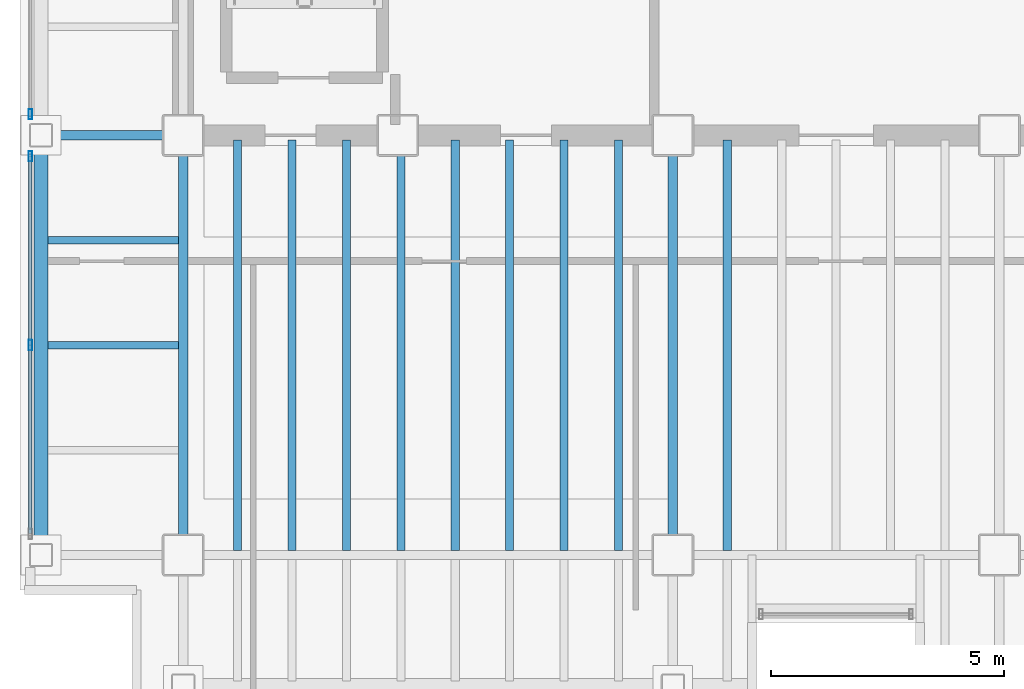
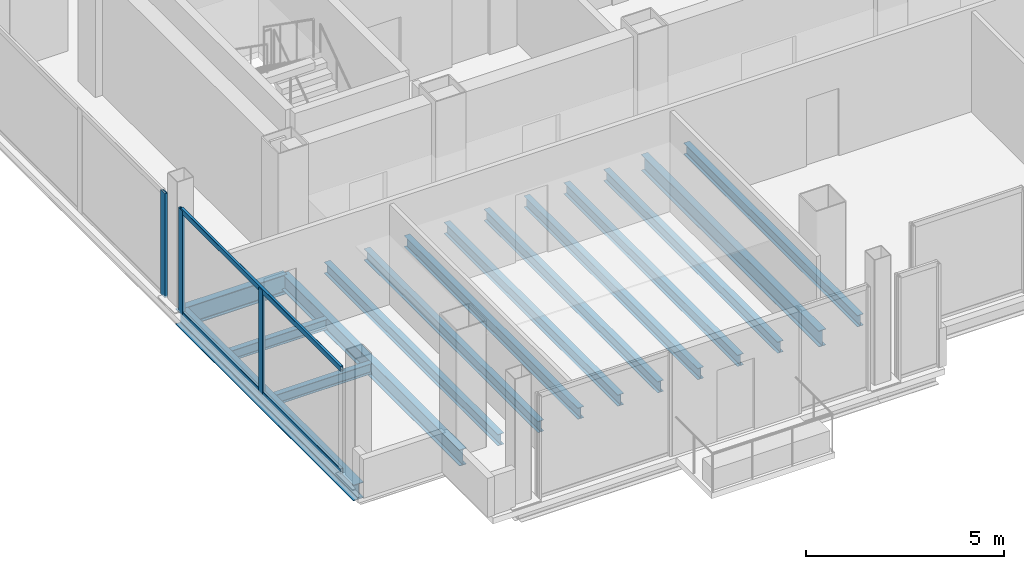
# One storey, part 3 of 15: 15 beams, 5 members, 2 elements without a shape of their own.
"""IFC4 building model written with IfcOpenShell, lengths in metres."""

from ifc_helpers import new_model, si_unit, direction, frame, origin, origin_2d, place, context, subcontext, project, spatial, hollow_rectangle, i_section, extrude, material, material_profile, profile_set, type_object, element, aggregate, save


model = new_model("IFC4")

# Units and contexts
model_context = context("Model", 3, precision=1e-05, world=origin(), true_north=direction((0.0, 1.0)))
body_context = subcontext(model_context, "Body", "Model", "MODEL_VIEW")
ifc_project = project(units=[si_unit("LENGTHUNIT", "METRE"), si_unit("AREAUNIT", "SQUARE_METRE"), si_unit("VOLUMEUNIT", "CUBIC_METRE"), si_unit("PLANEANGLEUNIT", "RADIAN"), si_unit("MASSUNIT", "GRAM", prefix="KILO")], contexts=[model_context])

# Site, building, storey
site_placement = place(None, origin())
site = spatial("IfcSite", under=ifc_project, at=site_placement, CompositionType="ELEMENT")
building_placement = place(site_placement, origin())
building = spatial("IfcBuilding", under=site, at=building_placement, Name="Noeulbin Bourse Tower", CompositionType="ELEMENT")
storey_placement = place(building_placement, frame((0.0, 0.0, 189.0)))
storey = spatial("IfcBuildingStorey", under=building, at=storey_placement, Name="L47", CompositionType="ELEMENT", Elevation=189.0)

# Beams
ifc_material_1 = material(Name="Steel S355", Category="steel")
ifc_material_profile_1 = material_profile(ifc_material_1, i_section(OverallWidth=0.199951171875, OverallDepth=0.5, WebThickness=0.010009765625, FlangeThickness=0.01611328125, FilletRadius=0.02001953125, at=origin_2d()), Name="H-500x200x10x16", Category="LoadBearing")
ifc_profile_set_1 = profile_set([ifc_material_profile_1], Name="Steel S355")
beam_type_1 = type_object("IfcBeamType", Name="BM-GRD-500", PredefinedType="USERDEFINED", material=ifc_profile_set_1)
for number, where, z_axis, x_axis, name in (
    (1, (13.5, 20.0, -0.429931640625), (0.0, 1.0, 0.0), (-1.0, 0.0, 0.0), "Tower Primary Girder NS L47-1.2"),
    (2, (24.0, 20.0, -0.429931640625), (0.0, 1.0, 0.0), (-1.0, 0.0, 0.0), "Tower Primary Girder NS L47-2.2"),
):
    element("IfcBeam", number, at=place(storey_placement, frame(where, z_axis=z_axis, x_axis=x_axis)), inside=storey, type_object=beam_type_1, Name=name, ObjectType="GIRDER", PredefinedType="USERDEFINED", context=body_context, shape_type="SweptSolid", body=[
        extrude(i_section(OverallWidth=0.199951171875, OverallDepth=0.5, WebThickness=0.010009765625, FlangeThickness=0.01611328125, FilletRadius=0.02001953125, at=origin_2d()), origin(), (0.0, 0.0, 1.0), 9.0),
    ])
ifc_material_profile_2 = material_profile(ifc_material_1, i_section(OverallWidth=0.199951171875, OverallDepth=0.60009765625, WebThickness=0.010986328125, FlangeThickness=0.01708984375, FilletRadius=0.02197265625, at=origin_2d()), Name="H-600x200x11x17", Category="LoadBearing")
ifc_profile_set_2 = profile_set([ifc_material_profile_2], Name="Steel S355")
beam_type_2 = type_object("IfcBeamType", Name="BM-GRD-600", PredefinedType="USERDEFINED", material=ifc_profile_set_2)
beam_1_placement = place(storey_placement, frame((10.449951171875, 29.0, -0.47998046875), z_axis=(1.0, 0.0, 0.0), x_axis=(0.0, 1.0, 0.0)))
element("IfcBeam", 3, at=beam_1_placement, inside=storey, type_object=beam_type_2, Name="Tower Primary Girder EW L47-2.1", ObjectType="GIRDER", PredefinedType="USERDEFINED", context=body_context, shape_type="SweptSolid", body=[
    extrude(i_section(OverallWidth=0.199951171875, OverallDepth=0.60009765625, WebThickness=0.010986328125, FlangeThickness=0.01708984375, FilletRadius=0.02197265625, at=origin_2d()), origin(), (0.0, 0.0, 1.0), 3.050048828125),
])
ifc_material_profile_3 = material_profile(ifc_material_1, i_section(OverallWidth=0.159912109375, OverallDepth=0.320068359375, WebThickness=0.006591796875, FlangeThickness=0.010009765625, FilletRadius=0.012939453125, at=origin_2d()), Name="H-320x160x6.5x10", Category="LoadBearing")
ifc_profile_set_3 = profile_set([ifc_material_profile_3], Name="Steel S355")
beam_type_3 = type_object("IfcBeamType", Name="BM-JST-320", PredefinedType="JOIST", material=ifc_profile_set_3)
for number, where, z_axis, x_axis, name in (
    (4, (10.60009765625, 24.5, -0.340087890625), (1.0, 0.0, 0.0), (0.0, 1.0, 0.0), "Wing Composite Joist L47-W68"),
    (5, (10.60009765625, 26.75, -0.340087890625), (1.0, 0.0, 0.0), (0.0, 1.0, 0.0), "Wing Composite Joist L47-W69"),
):
    element("IfcBeam", number, at=place(storey_placement, frame(where, z_axis=z_axis, x_axis=x_axis)), inside=storey, type_object=beam_type_3, Name=name, PredefinedType="JOIST", context=body_context, shape_type="SweptSolid", body=[
        extrude(i_section(OverallWidth=0.159912109375, OverallDepth=0.320068359375, WebThickness=0.006591796875, FlangeThickness=0.010009765625, FilletRadius=0.012939453125, at=origin_2d()), origin(), (0.0, 0.0, 1.0), 2.7998046875),
    ])
ifc_material_profile_4 = material_profile(ifc_material_1, i_section(OverallWidth=0.175048828125, OverallDepth=0.35009765625, WebThickness=0.007080078125, FlangeThickness=0.010986328125, FilletRadius=0.013916015625, at=origin_2d()), Name="H-350x175x7x11", Category="LoadBearing")
ifc_profile_set_4 = profile_set([ifc_material_profile_4], Name="Steel S355")
beam_type_4 = type_object("IfcBeamType", Name="BM-JST-350", PredefinedType="JOIST", material=ifc_profile_set_4)
for number, where, z_axis, x_axis, name in (
    (6, (14.666748046875, 20.10009765625, -0.35498046875), (0.0, 1.0, 0.0), (-1.0, 0.0, 0.0), "Tower Composite Joist L47-02"),
    (7, (15.833251953125, 20.10009765625, -0.35498046875), (0.0, 1.0, 0.0), (-1.0, 0.0, 0.0), "Tower Composite Joist L47-05"),
    (8, (17.0, 20.10009765625, -0.35498046875), (0.0, 1.0, 0.0), (-1.0, 0.0, 0.0), "Tower Composite Joist L47-08"),
    (9, (18.166748046875, 20.10009765625, -0.35498046875), (0.0, 1.0, 0.0), (-1.0, 0.0, 0.0), "Tower Composite Joist L47-11"),
    (10, (19.333251953125, 20.10009765625, -0.35498046875), (0.0, 1.0, 0.0), (-1.0, 0.0, 0.0), "Tower Composite Joist L47-14"),
    (11, (20.5, 20.10009765625, -0.35498046875), (0.0, 1.0, 0.0), (-1.0, 0.0, 0.0), "Tower Composite Joist L47-17"),
    (12, (21.666748046875, 20.10009765625, -0.35498046875), (0.0, 1.0, 0.0), (-1.0, 0.0, 0.0), "Tower Composite Joist L47-20"),
    (13, (22.833251953125, 20.10009765625, -0.35498046875), (0.0, 1.0, 0.0), (-1.0, 0.0, 0.0), "Tower Composite Joist L47-23"),
    (14, (25.166748046875, 20.10009765625, -0.35498046875), (0.0, 1.0, 0.0), (-1.0, 0.0, 0.0), "Tower Composite Joist L47-26"),
):
    element("IfcBeam", number, at=place(storey_placement, frame(where, z_axis=z_axis, x_axis=x_axis)), inside=storey, type_object=beam_type_4, Name=name, PredefinedType="JOIST", context=body_context, shape_type="SweptSolid", body=[
        extrude(i_section(OverallWidth=0.175048828125, OverallDepth=0.35009765625, WebThickness=0.007080078125, FlangeThickness=0.010986328125, FilletRadius=0.013916015625, at=origin_2d()), origin(), (0.0, 0.0, 1.0), 8.7998046875),
    ])
ifc_material_profile_5 = material_profile(ifc_material_1, i_section(OverallWidth=0.300048828125, OverallDepth=0.488037109375, WebThickness=0.010986328125, FlangeThickness=0.01806640625, FilletRadius=0.02197265625, at=origin_2d()), Name="H-488x300x11x18", Category="LoadBearing")
ifc_profile_set_5 = profile_set([ifc_material_profile_5], Name="Steel S355")
beam_type_5 = type_object("IfcBeamType", Name="BM-SPN-488", PredefinedType="SPANDREL", material=ifc_profile_set_5)
beam_2_placement = place(storey_placement, frame((10.449951171875, 20.0, -0.424072265625), z_axis=(0.0, 1.0, 0.0), x_axis=(-1.0, 0.0, 0.0)))
element("IfcBeam", 15, at=beam_2_placement, inside=storey, type_object=beam_type_5, Name="West Spandrel L47-1", PredefinedType="SPANDREL", context=body_context, shape_type="SweptSolid", body=[
    extrude(i_section(OverallWidth=0.300048828125, OverallDepth=0.488037109375, WebThickness=0.010986328125, FlangeThickness=0.01806640625, FilletRadius=0.02197265625, at=origin_2d()), origin(), (0.0, 0.0, 1.0), 9.0),
])

# Curtain wall, members
ifc_material_2 = material(Name="Dark Tinted Triple Glazing", Category="glass")
curtain_wall_type = type_object("IfcCurtainWallType", Name="CW-SYS-3", PredefinedType="NOTDEFINED", material=ifc_material_2)
curtain_wall_1_placement = place(storey_placement, origin())
curtain_wall_1 = element("IfcCurtainWall", 16, at=curtain_wall_1_placement, inside=storey, type_object=curtain_wall_type, Name="Unitised Curtain Wall CW-L47-W-S1", PredefinedType="NOTDEFINED")
ifc_material_3 = material(Name="Anodised Aluminium 6063-T6", Category="aluminium")
ifc_material_profile_6 = material_profile(ifc_material_3, hollow_rectangle(XDim=0.074951171875, YDim=0.219970703125, WallThickness=0.0048828125, InnerFilletRadius=0.00244140625, OuterFilletRadius=0.0048828125, at=origin_2d()), Name="ALU-MULL-75x220x5", Category="LoadBearing")
ifc_profile_set_6 = profile_set([ifc_material_profile_6], Name="Anodised Aluminium 6063-T6")
member_type_1 = type_object("IfcMemberType", Name="CW-SYS-3-MUL", PredefinedType="MULLION", material=ifc_profile_set_6)
member_1_placement = place(storey_placement, frame((10.219970703125, 24.5, -0.02001953125), z_axis=(0.0, 0.0, 1.0), x_axis=(1.0, 0.0, 0.0)))
member_1 = element("IfcMember", 17, at=member_1_placement, type_object=member_type_1, Name="Curtain Wall Mullion CW-L47-W-S1-M01", PredefinedType="MULLION", context=body_context, shape_type="SweptSolid", body=[
    extrude(hollow_rectangle(XDim=0.074951171875, YDim=0.219970703125, WallThickness=0.0048828125, InnerFilletRadius=0.00244140625, OuterFilletRadius=0.0048828125, at=origin_2d()), origin(), (0.0, 0.0, 1.0), 3.219970703125),
])
member_2_placement = place(storey_placement, frame((10.219970703125, 28.550048828125, -0.02001953125), z_axis=(0.0, 0.0, 1.0), x_axis=(1.0, 0.0, 0.0)))
member_2 = element("IfcMember", 18, at=member_2_placement, type_object=member_type_1, Name="Curtain Wall Mullion CW-L47-W-S1-M02", PredefinedType="MULLION", context=body_context, shape_type="SweptSolid", body=[
    extrude(hollow_rectangle(XDim=0.074951171875, YDim=0.219970703125, WallThickness=0.0048828125, InnerFilletRadius=0.00244140625, OuterFilletRadius=0.0048828125, at=origin_2d()), origin(), (0.0, 0.0, 1.0), 3.219970703125),
])

# Curtain wall, member
curtain_wall_2_placement = place(storey_placement, origin())
curtain_wall_2 = element("IfcCurtainWall", 19, at=curtain_wall_2_placement, inside=storey, type_object=curtain_wall_type, Name="Unitised Curtain Wall CW-L47-W-S2", PredefinedType="NOTDEFINED")
member_3_placement = place(storey_placement, frame((10.219970703125, 29.449951171875, -0.02001953125), z_axis=(0.0, 0.0, 1.0), x_axis=(1.0, 0.0, 0.0)))
member_3 = element("IfcMember", 20, at=member_3_placement, type_object=member_type_1, Name="Curtain Wall Mullion CW-L47-W-S2-M00", PredefinedType="MULLION", context=body_context, shape_type="SweptSolid", body=[
    extrude(hollow_rectangle(XDim=0.074951171875, YDim=0.219970703125, WallThickness=0.0048828125, InnerFilletRadius=0.00244140625, OuterFilletRadius=0.0048828125, at=origin_2d()), origin(), (0.0, 0.0, 1.0), 3.219970703125),
])
aggregate(curtain_wall_2, [member_3])

# Member
ifc_material_profile_7 = material_profile(ifc_material_3, hollow_rectangle(XDim=0.074951171875, YDim=0.159912109375, WallThickness=0.0048828125, InnerFilletRadius=0.00244140625, OuterFilletRadius=0.0048828125, at=origin_2d()), Name="ALU-TRAN-75x160x5", Category="LoadBearing")
ifc_profile_set_7 = profile_set([ifc_material_profile_7], Name="Anodised Aluminium 6063-T6")
member_type_2 = type_object("IfcMemberType", Name="CW-SYS-3-TRN", PredefinedType="USERDEFINED", material=ifc_profile_set_7)
member_4_placement = place(storey_placement, frame((10.219970703125, 20.4599609375, 0.010009765625), z_axis=(0.0, 1.0, 0.0), x_axis=(-1.0, 0.0, 0.0)))
member_4 = element("IfcMember", 21, at=member_4_placement, type_object=member_type_2, Name="Curtain Wall Transom CW-L47-W-S1-T00", ObjectType="TRANSOM", PredefinedType="USERDEFINED", context=body_context, shape_type="SweptSolid", body=[
    extrude(hollow_rectangle(XDim=0.074951171875, YDim=0.159912109375, WallThickness=0.0048828125, InnerFilletRadius=0.00244140625, OuterFilletRadius=0.0048828125, at=origin_2d()), origin(), (0.0, 0.0, 1.0), 8.080078125),
])

member_5_placement = place(storey_placement, frame((10.219970703125, 20.4599609375, 3.169921875), z_axis=(0.0, 1.0, 0.0), x_axis=(-1.0, 0.0, 0.0)))
member_5 = element("IfcMember", 22, at=member_5_placement, type_object=member_type_2, Name="Curtain Wall Transom CW-L47-W-S1-T01", ObjectType="TRANSOM", PredefinedType="USERDEFINED", context=body_context, shape_type="SweptSolid", body=[
    extrude(hollow_rectangle(XDim=0.074951171875, YDim=0.159912109375, WallThickness=0.0048828125, InnerFilletRadius=0.00244140625, OuterFilletRadius=0.0048828125, at=origin_2d()), origin(), (0.0, 0.0, 1.0), 8.080078125),
])

aggregate(curtain_wall_1, [member_1, member_2, member_4, member_5])

save(model, "model.ifc")
